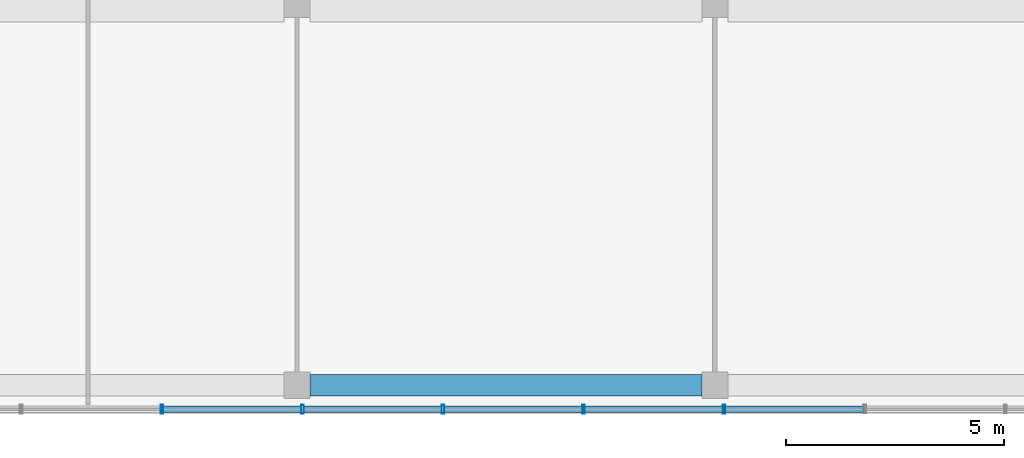
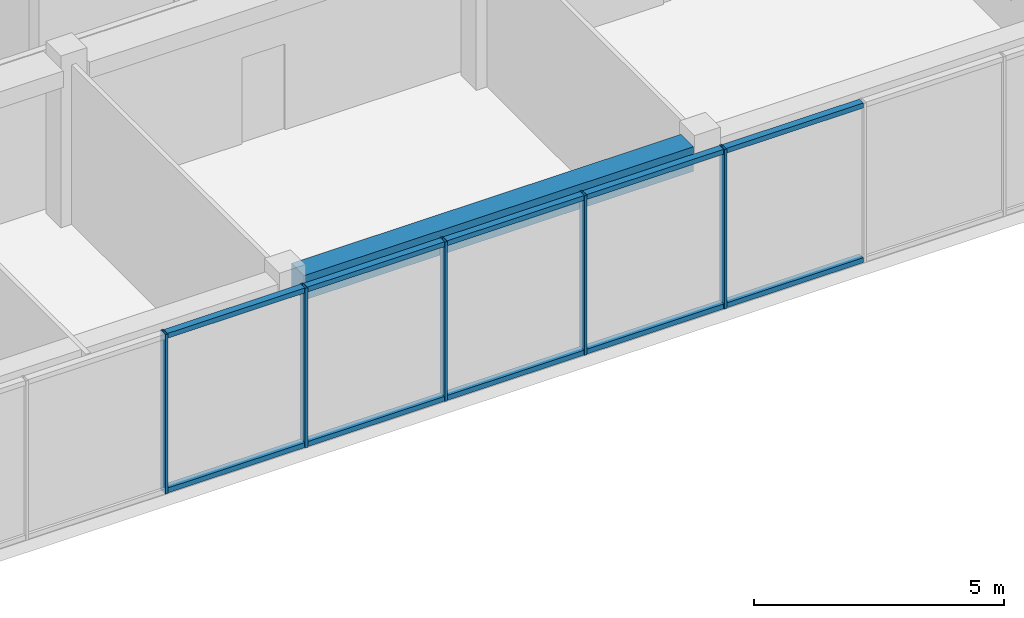
# One storey, part 4 of 28: 15 members, 1 beam, 1 element without a shape of its own.
"""IFC4 building model written with IfcOpenShell, lengths in metres."""

from ifc_helpers import new_model, si_unit, direction, frame, origin, origin_2d, place, context, subcontext, project, spatial, rectangle, hollow_rectangle, extrude, material, layer, layer_set, material_profile, profile_set, type_object, element, aggregate, save


model = new_model("IFC4")

# Units and contexts
model_context = context("Model", 3, precision=1e-05, world=origin(), true_north=direction((0.0, 1.0)))
body_context = subcontext(model_context, "Body", "Model", "MODEL_VIEW")
ifc_project = project(units=[si_unit("LENGTHUNIT", "METRE"), si_unit("AREAUNIT", "SQUARE_METRE"), si_unit("VOLUMEUNIT", "CUBIC_METRE"), si_unit("PLANEANGLEUNIT", "RADIAN"), si_unit("MASSUNIT", "GRAM", prefix="KILO")], contexts=[model_context])

# Site, building, storey
site_placement = place(None, origin())
site = spatial("IfcSite", under=ifc_project, at=site_placement, CompositionType="ELEMENT")
building_placement = place(site_placement, origin())
building = spatial("IfcBuilding", under=site, at=building_placement, Name="Nzadi Deep Aquarium and Research Tower", CompositionType="ELEMENT")
storey_placement = place(building_placement, frame((0.0, 0.0, 73.89990234375)))
storey = spatial("IfcBuildingStorey", under=building, at=storey_placement, Name="L15", CompositionType="ELEMENT", Elevation=73.89990234375)

# Curtain wall, members
ifc_material_1 = material(Name="Aluminium unitised frame", Category="aluminium")
ifc_layer = layer(ifc_material_1, 0.199951171875)
ifc_layer_set = layer_set([ifc_layer], Name="Aluminium unitised frame")
curtain_wall_type = type_object("IfcCurtainWallType", Name="Curtain wall Unitised 200", PredefinedType="NOTDEFINED", material=ifc_layer_set)
curtain_wall_placement = place(storey_placement, origin())
curtain_wall = element("IfcCurtainWall", 1, at=curtain_wall_placement, inside=storey, type_object=curtain_wall_type, Name="Unitised curtain wall blade A south L15", PredefinedType="NOTDEFINED")
ifc_material_2 = material(Name="Aluminium unitised frame", Category="aluminium")
ifc_material_profile_1 = material_profile(ifc_material_2, hollow_rectangle(XDim=0.199951171875, YDim=0.06005859375, WallThickness=0.0048828125, at=origin_2d()))
ifc_profile_set_1 = profile_set([ifc_material_profile_1], Name="Aluminium unitised frame")
member_type_1 = type_object("IfcMemberType", Name="Mullion 60x200 Unitised", PredefinedType="MULLION", material=ifc_profile_set_1)
member_1_placement = place(storey_placement, frame((16.095947265625, -0.10009765625, 0.0), z_axis=(0.0, 0.0, 1.0), x_axis=(0.0, 1.0, 0.0)))
member_1 = element("IfcMember", 2, at=member_1_placement, type_object=member_type_1, Name="CW069 mullion 6", PredefinedType="MULLION", context=body_context, shape_type="SweptSolid", body=[
    extrude(hollow_rectangle(XDim=0.199951171875, YDim=0.06005859375, WallThickness=0.0048828125, at=origin_2d()), origin(), (0.0, 0.0, 1.0), 3.900146484375),
])
member_2_placement = place(storey_placement, frame((19.324951171875, -0.10009765625, 0.0), z_axis=(0.0, 0.0, 1.0), x_axis=(0.0, 1.0, 0.0)))
member_2 = element("IfcMember", 3, at=member_2_placement, type_object=member_type_1, Name="CW069 mullion 7", PredefinedType="MULLION", context=body_context, shape_type="SweptSolid", body=[
    extrude(hollow_rectangle(XDim=0.199951171875, YDim=0.06005859375, WallThickness=0.0048828125, at=origin_2d()), origin(), (0.0, 0.0, 1.0), 3.900146484375),
])
member_3_placement = place(storey_placement, frame((22.55419921875, -0.10009765625, 0.0), z_axis=(0.0, 0.0, 1.0), x_axis=(0.0, 1.0, 0.0)))
member_3 = element("IfcMember", 4, at=member_3_placement, type_object=member_type_1, Name="CW069 mullion 8", PredefinedType="MULLION", context=body_context, shape_type="SweptSolid", body=[
    extrude(hollow_rectangle(XDim=0.199951171875, YDim=0.06005859375, WallThickness=0.0048828125, at=origin_2d()), origin(), (0.0, 0.0, 1.0), 3.900146484375),
])
member_4_placement = place(storey_placement, frame((25.783447265625, -0.10009765625, 0.0), z_axis=(0.0, 0.0, 1.0), x_axis=(0.0, 1.0, 0.0)))
member_4 = element("IfcMember", 5, at=member_4_placement, type_object=member_type_1, Name="CW069 mullion 9", PredefinedType="MULLION", context=body_context, shape_type="SweptSolid", body=[
    extrude(hollow_rectangle(XDim=0.199951171875, YDim=0.06005859375, WallThickness=0.0048828125, at=origin_2d()), origin(), (0.0, 0.0, 1.0), 3.900146484375),
])
member_5_placement = place(storey_placement, frame((29.012451171875, -0.10009765625, 0.0), z_axis=(0.0, 0.0, 1.0), x_axis=(0.0, 1.0, 0.0)))
member_5 = element("IfcMember", 6, at=member_5_placement, type_object=member_type_1, Name="CW069 mullion 10", PredefinedType="MULLION", context=body_context, shape_type="SweptSolid", body=[
    extrude(hollow_rectangle(XDim=0.199951171875, YDim=0.06005859375, WallThickness=0.0048828125, at=origin_2d()), origin(), (0.0, 0.0, 1.0), 3.900146484375),
])

# Beam
ifc_material_3 = material(Name="Concrete C35/45", Category="concrete")
ifc_material_profile_2 = material_profile(ifc_material_3, rectangle(XDim=0.5, YDim=0.60009765625, at=origin_2d()))
ifc_profile_set_2 = profile_set([ifc_material_profile_2], Name="Concrete C35/45")
beam_type = type_object("IfcBeamType", Name="RC 500x600", PredefinedType="BEAM", material=ifc_profile_set_2)
beam_placement = place(storey_placement, frame((19.5, 0.449951171875, 3.60009765625), z_axis=(1.0, 0.0, 0.0), x_axis=(0.0, 1.0, 0.0)))
element("IfcBeam", 7, at=beam_placement, inside=storey, type_object=beam_type, Name="B-Z1-L15-L1-3", PredefinedType="BEAM", context=body_context, shape_type="SweptSolid", body=[
    extrude(rectangle(XDim=0.5, YDim=0.60009765625, at=origin_2d()), origin(), (0.0, 0.0, 1.0), 9.0),
])

# Member
ifc_material_4 = material(Name="Aluminium unitised frame", Category="aluminium")
ifc_material_profile_3 = material_profile(ifc_material_4, hollow_rectangle(XDim=0.159912109375, YDim=0.1201171875, WallThickness=0.0048828125, at=origin_2d()))
ifc_profile_set_3 = profile_set([ifc_material_profile_3], Name="Aluminium unitised frame")
member_type_2 = type_object("IfcMemberType", Name="Transom 120x160 Unitised", PredefinedType="MULLION", material=ifc_profile_set_3)
member_6_placement = place(storey_placement, frame((16.125732421875, -0.10009765625, 0.06005859375), z_axis=(1.0, 0.0, 0.0), x_axis=(0.0, 1.0, 0.0)))
member_6 = element("IfcMember", 8, at=member_6_placement, type_object=member_type_2, Name="CW069 transom 6.1", PredefinedType="MULLION", context=body_context, shape_type="SweptSolid", body=[
    extrude(hollow_rectangle(XDim=0.159912109375, YDim=0.1201171875, WallThickness=0.0048828125, at=origin_2d()), origin(), (0.0, 0.0, 1.0), 3.169189453125),
])

member_7_placement = place(storey_placement, frame((16.125732421875, -0.10009765625, 3.840087890625), z_axis=(1.0, 0.0, 0.0), x_axis=(0.0, 1.0, 0.0)))
member_7 = element("IfcMember", 9, at=member_7_placement, type_object=member_type_2, Name="CW069 transom 6.2", PredefinedType="MULLION", context=body_context, shape_type="SweptSolid", body=[
    extrude(hollow_rectangle(XDim=0.159912109375, YDim=0.1201171875, WallThickness=0.0048828125, at=origin_2d()), origin(), (0.0, 0.0, 1.0), 3.169189453125),
])

member_8_placement = place(storey_placement, frame((19.35498046875, -0.10009765625, 0.06005859375), z_axis=(1.0, 0.0, 0.0), x_axis=(0.0, 1.0, 0.0)))
member_8 = element("IfcMember", 10, at=member_8_placement, type_object=member_type_2, Name="CW069 transom 7.1", PredefinedType="MULLION", context=body_context, shape_type="SweptSolid", body=[
    extrude(hollow_rectangle(XDim=0.159912109375, YDim=0.1201171875, WallThickness=0.0048828125, at=origin_2d()), origin(), (0.0, 0.0, 1.0), 3.169189453125),
])

member_9_placement = place(storey_placement, frame((19.35498046875, -0.10009765625, 3.840087890625), z_axis=(1.0, 0.0, 0.0), x_axis=(0.0, 1.0, 0.0)))
member_9 = element("IfcMember", 11, at=member_9_placement, type_object=member_type_2, Name="CW069 transom 7.2", PredefinedType="MULLION", context=body_context, shape_type="SweptSolid", body=[
    extrude(hollow_rectangle(XDim=0.159912109375, YDim=0.1201171875, WallThickness=0.0048828125, at=origin_2d()), origin(), (0.0, 0.0, 1.0), 3.169189453125),
])

member_10_placement = place(storey_placement, frame((22.584228515625, -0.10009765625, 0.06005859375), z_axis=(1.0, 0.0, 0.0), x_axis=(0.0, 1.0, 0.0)))
member_10 = element("IfcMember", 12, at=member_10_placement, type_object=member_type_2, Name="CW069 transom 8.1", PredefinedType="MULLION", context=body_context, shape_type="SweptSolid", body=[
    extrude(hollow_rectangle(XDim=0.159912109375, YDim=0.1201171875, WallThickness=0.0048828125, at=origin_2d()), origin(), (0.0, 0.0, 1.0), 3.169189453125),
])

member_11_placement = place(storey_placement, frame((22.584228515625, -0.10009765625, 3.840087890625), z_axis=(1.0, 0.0, 0.0), x_axis=(0.0, 1.0, 0.0)))
member_11 = element("IfcMember", 13, at=member_11_placement, type_object=member_type_2, Name="CW069 transom 8.2", PredefinedType="MULLION", context=body_context, shape_type="SweptSolid", body=[
    extrude(hollow_rectangle(XDim=0.159912109375, YDim=0.1201171875, WallThickness=0.0048828125, at=origin_2d()), origin(), (0.0, 0.0, 1.0), 3.169189453125),
])

member_12_placement = place(storey_placement, frame((25.813232421875, -0.10009765625, 0.06005859375), z_axis=(1.0, 0.0, 0.0), x_axis=(0.0, 1.0, 0.0)))
member_12 = element("IfcMember", 14, at=member_12_placement, type_object=member_type_2, Name="CW069 transom 9.1", PredefinedType="MULLION", context=body_context, shape_type="SweptSolid", body=[
    extrude(hollow_rectangle(XDim=0.159912109375, YDim=0.1201171875, WallThickness=0.0048828125, at=origin_2d()), origin(), (0.0, 0.0, 1.0), 3.169189453125),
])

member_13_placement = place(storey_placement, frame((25.813232421875, -0.10009765625, 3.840087890625), z_axis=(1.0, 0.0, 0.0), x_axis=(0.0, 1.0, 0.0)))
member_13 = element("IfcMember", 15, at=member_13_placement, type_object=member_type_2, Name="CW069 transom 9.2", PredefinedType="MULLION", context=body_context, shape_type="SweptSolid", body=[
    extrude(hollow_rectangle(XDim=0.159912109375, YDim=0.1201171875, WallThickness=0.0048828125, at=origin_2d()), origin(), (0.0, 0.0, 1.0), 3.169189453125),
])

member_14_placement = place(storey_placement, frame((29.04248046875, -0.10009765625, 0.06005859375), z_axis=(1.0, 0.0, 0.0), x_axis=(0.0, 1.0, 0.0)))
member_14 = element("IfcMember", 16, at=member_14_placement, type_object=member_type_2, Name="CW069 transom 10.1", PredefinedType="MULLION", context=body_context, shape_type="SweptSolid", body=[
    extrude(hollow_rectangle(XDim=0.159912109375, YDim=0.1201171875, WallThickness=0.0048828125, at=origin_2d()), origin(), (0.0, 0.0, 1.0), 3.169189453125),
])

member_15_placement = place(storey_placement, frame((29.04248046875, -0.10009765625, 3.840087890625), z_axis=(1.0, 0.0, 0.0), x_axis=(0.0, 1.0, 0.0)))
member_15 = element("IfcMember", 17, at=member_15_placement, type_object=member_type_2, Name="CW069 transom 10.2", PredefinedType="MULLION", context=body_context, shape_type="SweptSolid", body=[
    extrude(hollow_rectangle(XDim=0.159912109375, YDim=0.1201171875, WallThickness=0.0048828125, at=origin_2d()), origin(), (0.0, 0.0, 1.0), 3.169189453125),
])

aggregate(curtain_wall, [member_1, member_2, member_3, member_4, member_5, member_6, member_7, member_8, member_9, member_10, member_11, member_12, member_13, member_14, member_15])

save(model, "model.ifc")
